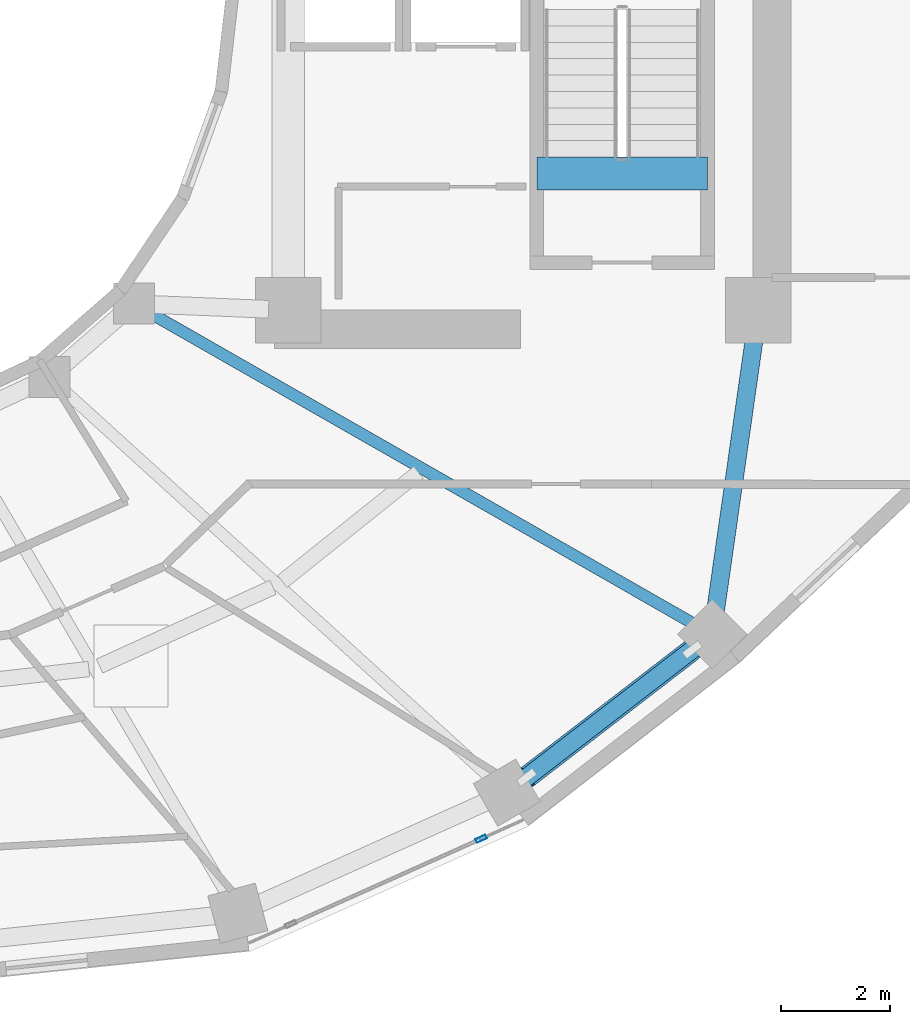
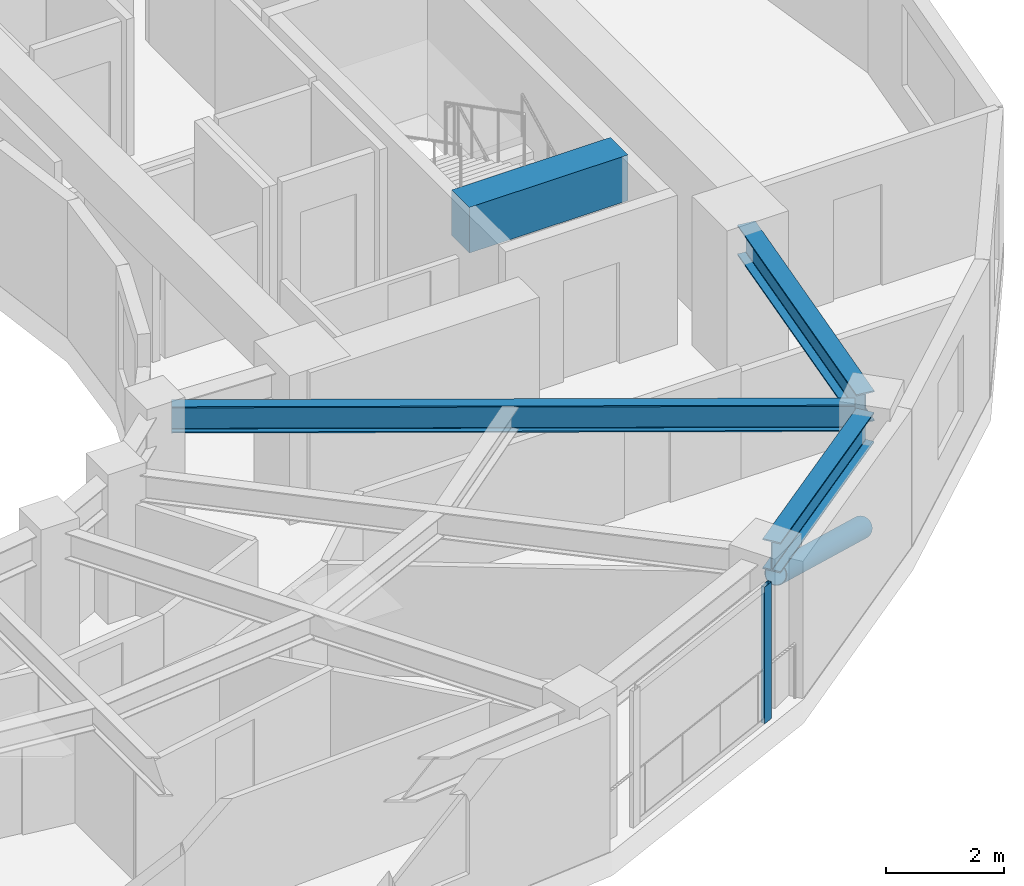
# One storey, part 6 of 17: 4 beams, 2 members, 1 element without a shape of its own.
"""IFC4 building model written with IfcOpenShell, lengths in metres."""

import ifcopenshell
import ifcopenshell.guid

model = None  # the IFC model being written
_history = None  # IfcOwnerHistory: only IFC2X3 demands one
_inside = {}  # id of a spatial element -> (the spatial element, [elements in it])
_under = {}  # id of a project, library or spatial element -> (it, [spatial elements below it])
_declared = {}  # id of a project -> (the project, [libraries it declares])
_typed = {}  # id of a type object -> (the type object, [elements of that type])
_made_of = {}  # id of a material, layer set ... -> (it, [elements and type objects made of it])


def new_model(schema):
    """Start an empty IFC model of exactly this schema.

    Asked for "IFC4X3", IfcOpenShell would pick the latest addendum, in which some entities
    have other attributes; the version numbers below select the first issue.
    IFC2X3 requires an IfcOwnerHistory on every rooted entity: one is made here for all.
    """
    global model, _history
    if schema == "IFC4X3":
        model = ifcopenshell.file(schema_version=(4, 3, 0, 0))
    else:
        model = ifcopenshell.file(schema=schema)
    _inside.clear()
    _under.clear()
    _declared.clear()
    _typed.clear()
    _made_of.clear()
    _history = None
    if model.schema == "IFC2X3":
        org = make("IfcOrganization", Name="unknown")
        user = make(
            "IfcPersonAndOrganization",
            ThePerson=make("IfcPerson", FamilyName="unknown"),
            TheOrganization=org,
        )
        app = make(
            "IfcApplication",
            ApplicationDeveloper=org,
            Version="unknown",
            ApplicationFullName="unknown",
            ApplicationIdentifier="unknown",
        )
        _history = make(
            "IfcOwnerHistory",
            OwningUser=user,
            OwningApplication=app,
            ChangeAction="ADDED",
            CreationDate=0,
        )
    return model


def make(cls, **values):
    """One entity of the class cls with the attributes given. An attribute that is None is left unset."""
    return model.create_entity(
        cls, **{name: value for name, value in values.items() if value is not None}
    )


def rooted(cls, **values):
    """An entity with a GlobalId (a new one), such as an element, a storey or a relation."""
    return make(cls, GlobalId=ifcopenshell.guid.new(), OwnerHistory=_history, **values)


def si_unit(unit_type, name, prefix=None):
    """IfcSIUnit, for example si_unit("LENGTHUNIT", "METRE", prefix="MILLI")."""
    return make("IfcSIUnit", UnitType=unit_type, Prefix=prefix, Name=name)


def assignment(units):
    """IfcUnitAssignment: the units of a project."""
    return None if units is None else make("IfcUnitAssignment", Units=units)


def point(xyz):
    """IfcCartesianPoint."""
    return None if xyz is None else make("IfcCartesianPoint", Coordinates=xyz)


def direction(xyz):
    """IfcDirection."""
    return None if xyz is None else make("IfcDirection", DirectionRatios=xyz)


def frame(location, z_axis=None, x_axis=None):
    """IfcAxis2Placement3D, a coordinate frame: its origin and axes. An axis left out is left unset."""
    return make(
        "IfcAxis2Placement3D",
        Location=point(location),
        Axis=direction(z_axis),
        RefDirection=direction(x_axis),
    )


def frame_2d(location, x_axis=None):
    """IfcAxis2Placement2D, a coordinate frame in the plane: its origin and x axis."""
    return make(
        "IfcAxis2Placement2D", Location=point(location), RefDirection=direction(x_axis)
    )


def origin():
    """The frame at (0, 0, 0) with its axes left unset."""
    return frame((0.0, 0.0, 0.0))


def origin_2d():
    """The frame at (0, 0) in the plane with its x axis left unset."""
    return frame_2d((0.0, 0.0))


def place(relative_to, where):
    """IfcLocalPlacement: puts the frame where relative to a parent placement (None: the world)."""
    return make(
        "IfcLocalPlacement", PlacementRelTo=relative_to, RelativePlacement=where
    )


def context(
    kind, dimensions, precision=None, world=None, true_north=None, identifier=None
):
    """IfcGeometricRepresentationContext, for example the 3D "Model" context."""
    return make(
        "IfcGeometricRepresentationContext",
        ContextIdentifier=identifier,
        ContextType=kind,
        CoordinateSpaceDimension=dimensions,
        Precision=precision,
        WorldCoordinateSystem=world,
        TrueNorth=true_north,
    )


def subcontext(parent, identifier, kind, view, scale=None):
    """IfcGeometricRepresentationSubContext, for example "Body" below "Model"."""
    return make(
        "IfcGeometricRepresentationSubContext",
        ContextIdentifier=identifier,
        ContextType=kind,
        ParentContext=parent,
        TargetScale=scale,
        TargetView=view,
    )


def project(units=None, contexts=None):
    """IfcProject with its units and contexts."""
    return rooted(
        "IfcProject",
        Name="project",
        RepresentationContexts=contexts,
        UnitsInContext=assignment(units),
    )


def spatial(cls, under=None, at=None, **own):
    """A site, building, storey or space (cls), placed at a placement, below another one or the project."""
    s = rooted(cls, ObjectPlacement=at, **own)
    if under is not None:
        _under.setdefault(under.id(), (under, []))[1].append(s)
    return s


def profile(cls, at=None, kind="AREA", **sizes):
    """A parametric profile (cls). Its sizes go by their IFC names, for example OverallWidth=200.0."""
    return make(cls, ProfileType=kind, Position=at, **sizes)


def rectangle(**sizes):
    """IfcRectangleProfileDef."""
    return profile("IfcRectangleProfileDef", **sizes)


def hollow_rectangle(**sizes):
    """IfcRectangleHollowProfileDef."""
    return profile("IfcRectangleHollowProfileDef", **sizes)


def hollow_circle(**sizes):
    """IfcCircleHollowProfileDef."""
    return profile("IfcCircleHollowProfileDef", **sizes)


def i_section(**sizes):
    """IfcIShapeProfileDef."""
    return profile("IfcIShapeProfileDef", **sizes)


def extrude(swept, where, along, depth):
    """IfcExtrudedAreaSolid: the profile swept, set in the frame where, extruded along a direction by depth."""
    return make(
        "IfcExtrudedAreaSolid",
        SweptArea=swept,
        Position=where,
        ExtrudedDirection=direction(along),
        Depth=depth,
    )


def shape(context_of_items, identifier, shape_type, items):
    """IfcShapeRepresentation: the items that make up one representation, for example the "Body"."""
    return make(
        "IfcShapeRepresentation",
        ContextOfItems=context_of_items,
        RepresentationIdentifier=identifier,
        RepresentationType=shape_type,
        Items=items,
    )


def material(Name=None, Category=None):
    """IfcMaterial."""
    return make("IfcMaterial", Name=Name, Category=Category)


def layer(
    of_material, thickness, ventilated=None, Name=None, Category=None, Priority=None
):
    """IfcMaterialLayer: one layer of a wall or slab, of a material (None: an air gap)."""
    return make(
        "IfcMaterialLayer",
        Material=of_material,
        LayerThickness=thickness,
        IsVentilated=ventilated,
        Name=Name,
        Category=Category,
        Priority=Priority,
    )


def layer_set(layers, Name=None):
    """IfcMaterialLayerSet."""
    return make("IfcMaterialLayerSet", MaterialLayers=layers, LayerSetName=Name)


def material_profile(
    of_material, cross_section, Name=None, Category=None, Priority=None
):
    """IfcMaterialProfile: a cross section and its material."""
    return make(
        "IfcMaterialProfile",
        Name=Name,
        Material=of_material,
        Profile=cross_section,
        Priority=Priority,
        Category=Category,
    )


def profile_set(profiles, Name=None, composite=None):
    """IfcMaterialProfileSet."""
    return make(
        "IfcMaterialProfileSet",
        Name=Name,
        MaterialProfiles=profiles,
        CompositeProfile=composite,
    )


def made_of(thing, what):
    """Note that an element or type object is made of a material, layer set ...; save() writes the relation."""
    if what is not None:
        _made_of.setdefault(what.id(), (what, []))[1].append(thing)
    return thing


def type_object(cls, material=None, **own):
    """A type object (cls), such as IfcWallType, which elements share."""
    return made_of(rooted(cls, **own), material)


def element(
    cls,
    number,
    at=None,
    inside=None,
    cuts=None,
    type_object=None,
    material=None,
    context=None,
    identifier="Body",
    shape_type=None,
    held_by="IfcProductDefinitionShape",
    body=None,
    shapes=None,
    **own,
):
    """One element of the class cls, such as IfcWall. Its Tag is "e" and its number.

    at: its placement. inside: the storey or other place that contains it. cuts: it is an
    opening in that element (IfcRelVoidsElement). A single representation is given by context,
    identifier, shape_type and body (its items); several are given by shapes. held_by: the class
    of the entity that holds the representations. save() writes the other relations.
    """
    e = rooted(cls, Tag="e%d" % number, ObjectPlacement=at, **own)
    if body is not None:
        shapes = [shape(context, identifier, shape_type, body)]
    if shapes is not None:
        e.Representation = make(held_by, Representations=shapes)
    if inside is not None:
        _inside.setdefault(inside.id(), (inside, []))[1].append(e)
    if cuts is not None:
        rooted(
            "IfcRelVoidsElement", RelatingBuildingElement=cuts, RelatedOpeningElement=e
        )
    if type_object is not None:
        _typed.setdefault(type_object.id(), (type_object, []))[1].append(e)
    return made_of(e, material)


def aggregate(whole, parts):
    """IfcRelAggregates: a whole, such as a stair, and the parts it consists of."""
    return rooted("IfcRelAggregates", RelatingObject=whole, RelatedObjects=parts)


def save(model, path):
    """Write the relations noted so far, then the file.

    IfcRelAggregates (storeys below a building ...), IfcRelContainedInSpatialStructure (elements
    in a storey), IfcRelDefinesByType, IfcRelAssociatesMaterial and IfcRelDeclares: one each for
    every whole, place, type object, material and project.
    """
    for whole, parts in _under.values():
        aggregate(whole, parts)
    for where, things in _inside.values():
        rooted(
            "IfcRelContainedInSpatialStructure",
            RelatedElements=things,
            RelatingStructure=where,
        )
    for kind, things in _typed.values():
        rooted("IfcRelDefinesByType", RelatedObjects=things, RelatingType=kind)
    for what, things in _made_of.values():
        rooted("IfcRelAssociatesMaterial", RelatedObjects=things, RelatingMaterial=what)
    for by, libraries in _declared.values():
        rooted("IfcRelDeclares", RelatingContext=by, RelatedDefinitions=libraries)
    model.write(path)


model = new_model("IFC4")

# Units and contexts
model_context = context("Model", 3, precision=1e-05, world=origin(), true_north=direction((0.0, 1.0)))
body_context = subcontext(model_context, "Body", "Model", "MODEL_VIEW")
ifc_project = project(units=[si_unit("LENGTHUNIT", "METRE"), si_unit("AREAUNIT", "SQUARE_METRE"), si_unit("VOLUMEUNIT", "CUBIC_METRE"), si_unit("PLANEANGLEUNIT", "RADIAN"), si_unit("MASSUNIT", "GRAM", prefix="KILO")], contexts=[model_context])

# Site, building, storey
site_placement = place(None, origin())
site = spatial("IfcSite", under=ifc_project, at=site_placement, CompositionType="ELEMENT")
building_placement = place(site_placement, origin())
building = spatial("IfcBuilding", under=site, at=building_placement, Name="Solvane Sanctuary Tower", CompositionType="ELEMENT")
storey_placement = place(building_placement, frame((0.0, 0.0, 171.5)))
storey = spatial("IfcBuildingStorey", under=building, at=storey_placement, Name="L52", CompositionType="ELEMENT", Elevation=171.5)

# Beams
ifc_material_1 = material(Name="Concrete C70/85", Category="concrete")
ifc_material_profile_1 = material_profile(ifc_material_1, rectangle(XDim=0.60009765625, YDim=0.949951171875, at=origin_2d()), Name="RC600X950")
ifc_profile_set_1 = profile_set([ifc_material_profile_1], Name="Concrete C70/85")
beam_type_1 = type_object("IfcBeamType", Name="Beam B-COUPLE RC600X950", PredefinedType="LINTEL", material=ifc_profile_set_1)
beam_1_placement = place(storey_placement, frame((44.64990234375, 19.399169921875, 2.625), z_axis=(1.0, 0.0, 0.0), x_axis=(0.0, 1.0, 0.0)))
element("IfcBeam", 1, at=beam_1_placement, inside=storey, type_object=beam_type_1, Name="L52 ST-2 Stair Floor Landing Trimmer", PredefinedType="LINTEL", context=body_context, shape_type="SweptSolid", body=[
    extrude(rectangle(XDim=0.60009765625, YDim=0.949951171875, at=origin_2d()), origin(), (0.0, 0.0, 1.0), 3.1201171875),
])
ifc_material_2 = material(Name="Steel ASTM A992 Grade 50", Category="steel")
ifc_material_profile_2 = material_profile(ifc_material_2, i_section(OverallWidth=0.214111328125, OverallDepth=0.549072265625, WebThickness=0.0146484375, FlangeThickness=0.023681640625, FilletRadius=0.014892578125, at=origin_2d()), Name="W21X93")
ifc_profile_set_2 = profile_set([ifc_material_profile_2], Name="Steel ASTM A992 Grade 50")
beam_type_2 = type_object("IfcBeamType", Name="Beam B-RAD-Z3 W21X93", PredefinedType="JOIST", material=ifc_profile_set_2)
beam_2_placement = place(storey_placement, frame((37.51806640625, 16.87890625, 2.603515625), z_axis=(0.86816302692, -0.496279113694, 0.0), x_axis=(0.496279113694, 0.86816302692, 0.0)))
element("IfcBeam", 2, at=beam_2_placement, inside=storey, type_object=beam_type_2, Name="L52 Radial Composite Floor Beam 14", PredefinedType="JOIST", context=body_context, shape_type="SweptSolid", body=[
    extrude(i_section(OverallWidth=0.214111328125, OverallDepth=0.549072265625, WebThickness=0.0146484375, FlangeThickness=0.023681640625, FilletRadius=0.014892578125, at=origin_2d()), origin(), (0.0, 0.0, 1.0), 11.62841796875),
])
ifc_material_profile_3 = material_profile(ifc_material_2, i_section(OverallWidth=0.327880859375, OverallDepth=0.6279296875, WebThickness=0.0166015625, FlangeThickness=0.027587890625, FilletRadius=0.01611328125, at=origin_2d()), Name="W24X146")
ifc_profile_set_3 = profile_set([ifc_material_profile_3], Name="Steel ASTM A992 Grade 50")
beam_type_3 = type_object("IfcBeamType", Name="Beam B-SPAND-Z3 W24X146", PredefinedType="SPANDREL", material=ifc_profile_set_3)
beam_3_placement = place(storey_placement, frame((44.31982421875, 8.242919921875, 2.56396484375), z_axis=(0.792020773873, 0.610494139001, 0.0), x_axis=(-0.610494139001, 0.792020773873, 0.0)))
element("IfcBeam", 3, at=beam_3_placement, inside=storey, type_object=beam_type_3, Name="L52 Perimeter Spandrel Beam TC13-TC14", PredefinedType="SPANDREL", context=body_context, shape_type="SweptSolid", body=[
    extrude(i_section(OverallWidth=0.327880859375, OverallDepth=0.6279296875, WebThickness=0.0166015625, FlangeThickness=0.027587890625, FilletRadius=0.01611328125, at=origin_2d()), origin(), (0.0, 0.0, 1.0), 4.185302734375),
])
beam_4_placement = place(storey_placement, frame((47.89599609375, 11.24609375, 2.56396484375), z_axis=(0.140798255486, 0.990038307972, 0.0), x_axis=(-0.990038307972, 0.140798255486, 0.0)))
element("IfcBeam", 4, at=beam_4_placement, inside=storey, type_object=beam_type_3, Name="L52 Perimeter Spandrel Beam TC14-CE2", PredefinedType="SPANDREL", context=body_context, shape_type="SweptSolid", body=[
    extrude(i_section(OverallWidth=0.327880859375, OverallDepth=0.6279296875, WebThickness=0.0166015625, FlangeThickness=0.027587890625, FilletRadius=0.01611328125, at=origin_2d()), origin(), (0.0, 0.0, 1.0), 5.430908203125),
])

# Curtain wall, member
ifc_material_3 = material(Name="Anodised Aluminium 6063-T6", Category="aluminium")
ifc_layer = layer(ifc_material_3, 0.179931640625, Name="Anodised Aluminium 6063-T6")
ifc_layer_set = layer_set([ifc_layer], Name="Anodised Aluminium 6063-T6")
curtain_wall_type = type_object("IfcCurtainWallType", Name="Curtain Wall CW-FRIT-Z2", PredefinedType="NOTDEFINED", material=ifc_layer_set)
curtain_wall_placement = place(storey_placement, origin())
curtain_wall = element("IfcCurtainWall", 5, at=curtain_wall_placement, inside=storey, type_object=curtain_wall_type, Name="L52 CW-FRIT-Z2 Facade Run 19", PredefinedType="NOTDEFINED")
ifc_material_profile_4 = material_profile(ifc_material_3, hollow_rectangle(XDim=0.074951171875, YDim=0.199951171875, WallThickness=0.00390625, at=origin_2d()), Name="ALU200X75X4")
ifc_profile_set_4 = profile_set([ifc_material_profile_4], Name="Anodised Aluminium 6063-T6")
member_type_1 = type_object("IfcMemberType", Name="Member M-CW-MUL-1 ALU200X75X4", PredefinedType="MULLION", material=ifc_profile_set_4)
member_1_placement = place(storey_placement, frame((43.630859375, 7.2294921875, 0.0), z_axis=(0.0, 0.0, 1.0), x_axis=(-0.409410643281, 0.912350220676, 0.0)))
member_1 = element("IfcMember", 6, at=member_1_placement, type_object=member_type_1, Name="CW-FRIT-Z2 mullion 2", PredefinedType="MULLION", context=body_context, shape_type="SweptSolid", body=[
    extrude(hollow_rectangle(XDim=0.074951171875, YDim=0.199951171875, WallThickness=0.00390625, at=origin_2d()), origin(), (0.0, 0.0, 1.0), 2.840087890625),
])
aggregate(curtain_wall, [member_1])

# Member
ifc_material_profile_5 = material_profile(ifc_material_2, hollow_circle(Radius=0.202880859375, WallThickness=0.012451171875, at=origin_2d()), Name="CHS406X12.5")
ifc_profile_set_5 = profile_set([ifc_material_profile_5], Name="Steel ASTM A992 Grade 50")
member_type_2 = type_object("IfcMemberType", Name="Member M-TUBE-Z3 CHS406X12.5", PredefinedType="BRACE", material=ifc_profile_set_5)
member_2_placement = place(storey_placement, frame((47.48974609375, 10.686279296875, 0.5625), z_axis=(-0.73686018058, -0.568005062922, 0.366616042707), x_axis=(0.610513708364, -0.792005689311, 0.0)))
element("IfcMember", 7, at=member_2_placement, inside=storey, type_object=member_type_2, Name="L52 Perimeter Braced-Tube Diagonal SE", PredefinedType="BRACE", context=body_context, shape_type="SweptSolid", body=[
    extrude(hollow_circle(Radius=0.202880859375, WallThickness=0.012451171875, at=origin_2d()), origin(), (0.0, 0.0, 1.0), 4.104736328125),
])

save(model, "model.ifc")
